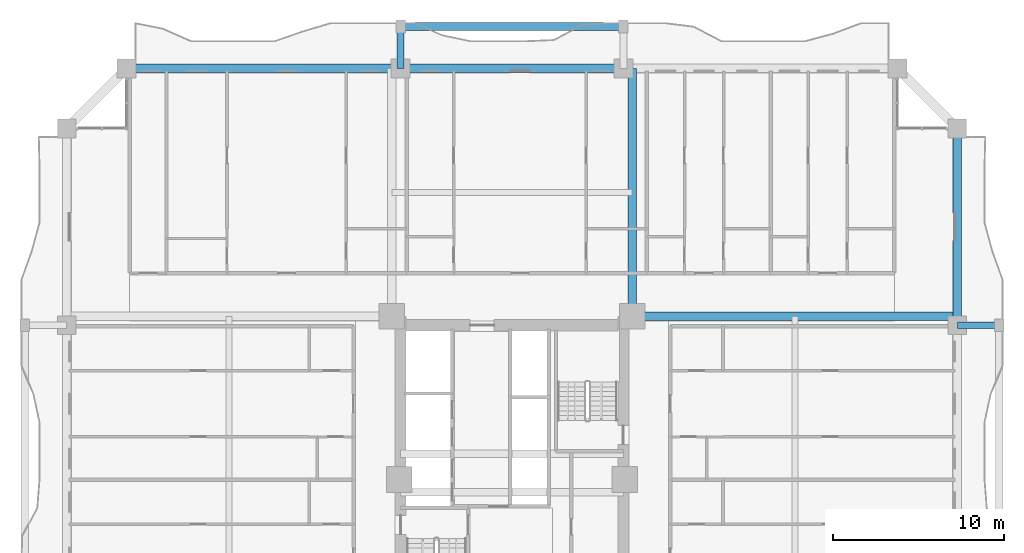
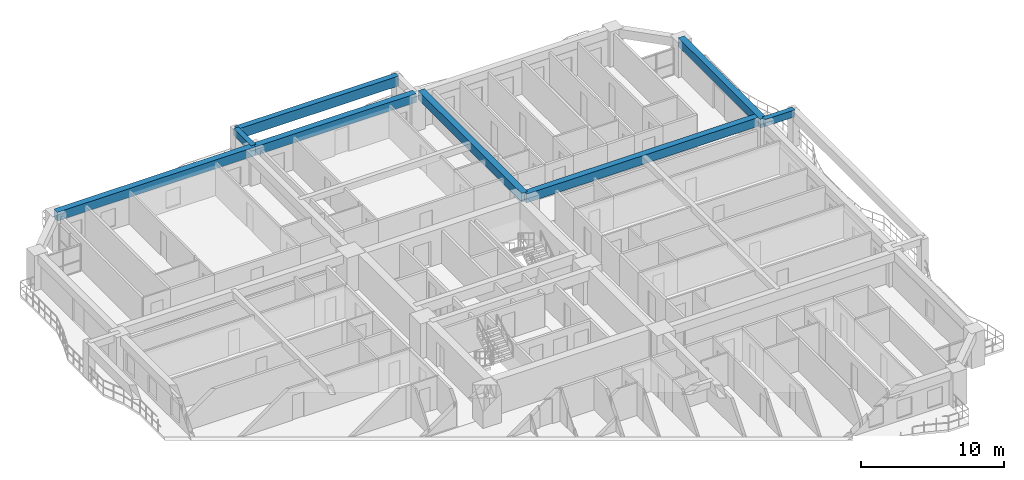
# One storey, part 9 of 28: 8 beams.
"""IFC4 building model written with IfcOpenShell, lengths in metres."""

from ifc_helpers import new_model, si_unit, direction, frame, origin, origin_2d, place, context, subcontext, project, spatial, rectangle, extrude, source, transform, mapped, material, material_profile, profile_set, type_object, element, save


model = new_model("IFC4")

# Units and contexts
model_context = context("Model", 3, precision=1e-05, world=origin(), true_north=direction((0.0, 1.0)))
body_context = subcontext(model_context, "Body", "Model", "MODEL_VIEW")
ifc_project = project(units=[si_unit("LENGTHUNIT", "METRE"), si_unit("AREAUNIT", "SQUARE_METRE"), si_unit("VOLUMEUNIT", "CUBIC_METRE"), si_unit("PLANEANGLEUNIT", "RADIAN"), si_unit("MASSUNIT", "GRAM", prefix="KILO")], contexts=[model_context])

# Site, building, storey
site_placement = place(None, origin())
site = spatial("IfcSite", under=ifc_project, at=site_placement, CompositionType="ELEMENT")
building_placement = place(site_placement, origin())
building = spatial("IfcBuilding", under=site, at=building_placement, Name="Saelheon Loggia Tower", CompositionType="ELEMENT")
storey_placement = place(building_placement, frame((0.0, 0.0, 25.39990234375)))
storey = spatial("IfcBuildingStorey", under=building, at=storey_placement, Name="L07", CompositionType="ELEMENT", Elevation=25.39990234375)

# Beams
ifc_material_1 = material(Name="Precast Concrete C45/55", Category="concrete")
ifc_material_profile_1 = material_profile(ifc_material_1, rectangle(XDim=0.449951171875, YDim=0.85009765625, at=origin_2d()), Name="RC-450x850")
ifc_profile_set_1 = profile_set([ifc_material_profile_1], Name="Precast Concrete C45/55")
beam_type_1 = type_object("IfcBeamType", Name="Beam_LoggiaSpandrel_RC450x850", PredefinedType="SPANDREL", material=ifc_profile_set_1)
shared_shape_1 = source(origin(), body_context, "Body", "SweptSolid", [
    extrude(rectangle(XDim=0.449951171875, YDim=0.85009765625, at=origin_2d()), origin(), (0.0, 0.0, 1.0), 13.0),
])
beam_1_placement = place(storey_placement, frame((31.5, 53.449951171875, 2.5751953125), z_axis=(1.0, 0.0, 0.0), x_axis=(0.0, 1.0, 0.0)))
element("IfcBeam", 1, at=beam_1_placement, inside=storey, type_object=beam_type_1, Name="L07 Loggia Spandrel Beam N", PredefinedType="SPANDREL", context=body_context, shape_type="MappedRepresentation", body=[
    mapped(shared_shape_1, transform((0.0, 0.0, 0.0), scale=1.0)),
])
ifc_material_2 = material(Name="Concrete C45/55", Category="concrete")
ifc_material_profile_2 = material_profile(ifc_material_2, rectangle(XDim=0.5, YDim=0.75, at=origin_2d()), Name="RC-500x750")
ifc_profile_set_2 = profile_set([ifc_material_profile_2], Name="Concrete C45/55")
beam_type_2 = type_object("IfcBeamType", Name="Beam_FloorGirder_RC500x750", PredefinedType="BEAM", material=ifc_profile_set_2)
shared_shape_2 = source(origin(), body_context, "Body", "SweptSolid", [
    extrude(rectangle(XDim=0.5, YDim=0.75, at=origin_2d()), origin(), (0.0, 0.0, 1.0), 14.47998046875),
])
beam_2_placement = place(storey_placement, frame((45.02001953125, 36.52001953125, 2.625), z_axis=(0.0, 1.0, 0.0), x_axis=(-1.0, 0.0, 0.0)))
element("IfcBeam", 2, at=beam_2_placement, inside=storey, type_object=beam_type_2, Name="L07 Radial Floor Girder RAD-NE-N", PredefinedType="BEAM", context=body_context, shape_type="MappedRepresentation", body=[
    mapped(shared_shape_2, transform((0.0, 0.0, 0.0), scale=1.0)),
])
ifc_material_profile_3 = material_profile(ifc_material_2, rectangle(XDim=0.5, YDim=0.75, at=origin_2d()), Name="RC-500x750")
ifc_profile_set_3 = profile_set([ifc_material_profile_3], Name="Concrete C45/55")
beam_type_3 = type_object("IfcBeamType", Name="Beam_PerimGirder_RC500x750", PredefinedType="BEAM", material=ifc_profile_set_3)
shared_shape_3 = source(origin(), body_context, "Body", "SweptSolid", [
    extrude(rectangle(XDim=0.5, YDim=0.75, at=origin_2d()), origin(), (0.0, 0.0, 1.0), 16.0),
])
beam_3_placement = place(storey_placement, frame((31.5, 51.0, 2.625), z_axis=(-1.0, 0.0, 0.0), x_axis=(0.0, -1.0, 0.0)))
element("IfcBeam", 3, at=beam_3_placement, inside=storey, type_object=beam_type_3, Name="L07 Perimeter Frame Girder 11", PredefinedType="BEAM", context=body_context, shape_type="MappedRepresentation", body=[
    mapped(shared_shape_3, transform((0.0, 0.0, 0.0), scale=1.0)),
])
shared_shape_4 = source(origin(), body_context, "Body", "SweptSolid", [
    extrude(rectangle(XDim=0.5, YDim=0.75, at=origin_2d()), origin(), (0.0, 0.0, 1.0), 13.0),
])
beam_4_placement = place(storey_placement, frame((44.5, 51.0, 2.625), z_axis=(-1.0, 0.0, 0.0), x_axis=(0.0, -1.0, 0.0)))
element("IfcBeam", 4, at=beam_4_placement, inside=storey, type_object=beam_type_3, Name="L07 Perimeter Frame Girder 10", PredefinedType="BEAM", context=body_context, shape_type="MappedRepresentation", body=[
    mapped(shared_shape_4, transform((0.0, 0.0, 0.0), scale=1.0)),
])
shared_shape_5 = source(origin(), body_context, "Body", "SweptSolid", [
    extrude(rectangle(XDim=0.5, YDim=0.75, at=origin_2d()), origin(), (0.0, 0.0, 1.0), 11.5),
])
beam_5_placement = place(storey_placement, frame((64.0, 36.0, 2.625), z_axis=(0.0, 1.0, 0.0), x_axis=(-1.0, 0.0, 0.0)))
element("IfcBeam", 5, at=beam_5_placement, inside=storey, type_object=beam_type_3, Name="L07 Perimeter Frame Girder 07", PredefinedType="BEAM", context=body_context, shape_type="MappedRepresentation", body=[
    mapped(shared_shape_5, transform((0.0, 0.0, 0.0), scale=1.0)),
])
shared_shape_6 = source(origin(), body_context, "Body", "SweptSolid", [
    extrude(rectangle(XDim=0.5, YDim=0.75, at=origin_2d()), origin(), (0.0, 0.0, 1.0), 18.97998046875),
])
beam_6_placement = place(storey_placement, frame((45.02001953125, 36.52001953125, 2.625), z_axis=(1.0, 0.0, 0.0), x_axis=(0.0, 1.0, 0.0)))
element("IfcBeam", 6, at=beam_6_placement, inside=storey, type_object=beam_type_2, Name="L07 Radial Floor Girder RAD-NE-E", PredefinedType="BEAM", context=body_context, shape_type="MappedRepresentation", body=[
    mapped(shared_shape_6, transform((0.0, 0.0, 0.0), scale=1.0)),
])
ifc_material_profile_4 = material_profile(ifc_material_1, rectangle(XDim=0.39990234375, YDim=0.60009765625, at=origin_2d()), Name="RC-400x600")
ifc_profile_set_4 = profile_set([ifc_material_profile_4], Name="Precast Concrete C45/55")
beam_type_4 = type_object("IfcBeamType", Name="Beam_LoggiaTie_RC400x600", PredefinedType="BEAM", material=ifc_profile_set_4)
shared_shape_7 = source(origin(), body_context, "Body", "SweptSolid", [
    extrude(rectangle(XDim=0.39990234375, YDim=0.60009765625, at=origin_2d()), origin(), (0.0, 0.0, 1.0), 2.449951171875),
])
for number, where, z_axis, x_axis, name in (
    (7, (31.5, 51.0, 2.7001953125), (0.0, 1.0, 0.0), (-1.0, 0.0, 0.0), "L07 Loggia Frame Tie Beam LP-N1"),
    (8, (64.0, 36.0, 2.7001953125), (1.0, 0.0, 0.0), (0.0, 1.0, 0.0), "L07 Loggia Frame Tie Beam LP-E2"),
):
    element("IfcBeam", number, at=place(storey_placement, frame(where, z_axis=z_axis, x_axis=x_axis)), inside=storey, type_object=beam_type_4, Name=name, PredefinedType="BEAM", context=body_context, shape_type="MappedRepresentation", body=[
        mapped(shared_shape_7, transform((0.0, 0.0, 0.0), scale=1.0)),
    ])

save(model, "model.ifc")
